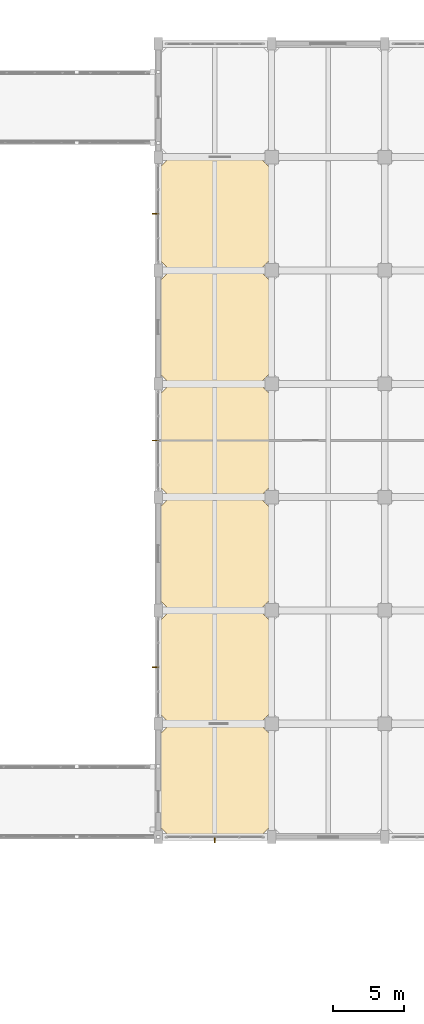
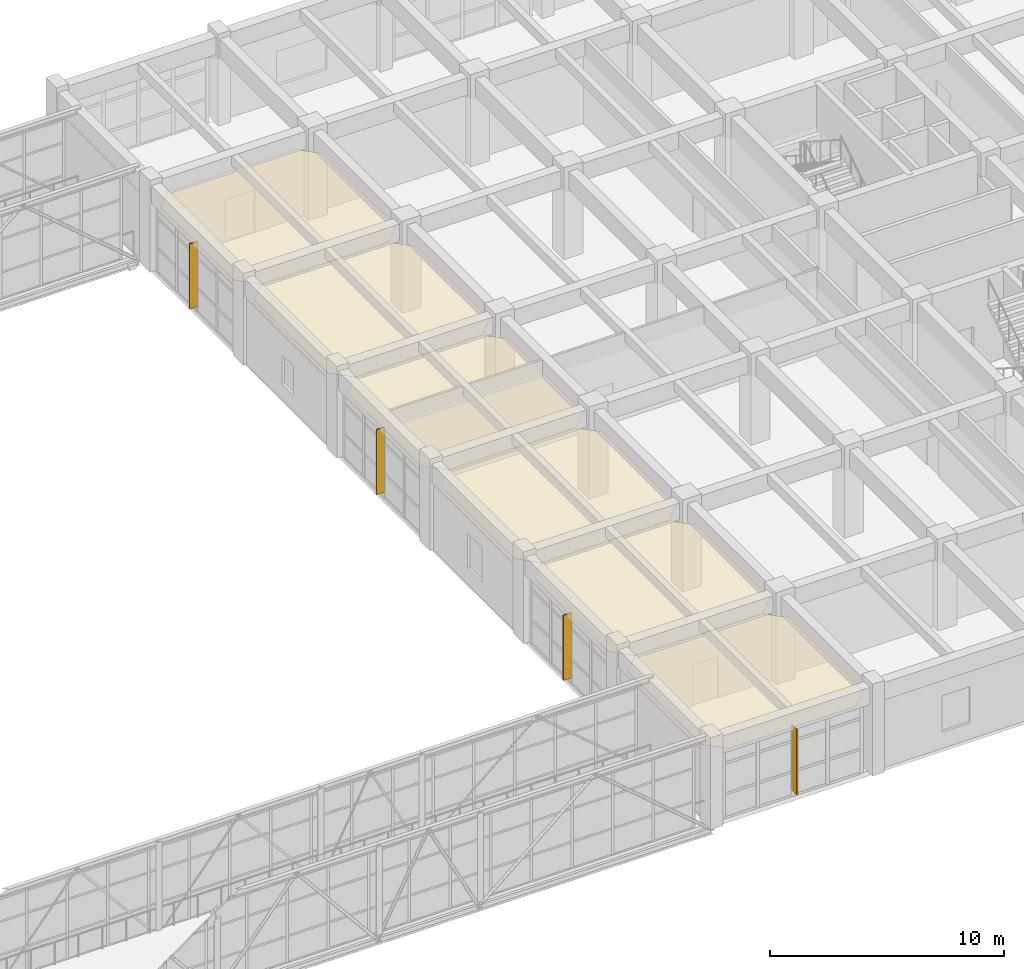
# One storey, part 242 of 248: 6 coverings, 4 shading devices.
"""IFC4 building model written with IfcOpenShell, lengths in metres."""

from ifc_helpers import new_model, si_unit, direction, frame, origin, origin_2d, place, context, subcontext, project, spatial, polyline, rectangle, outline, extrude, material, layer, layer_set, type_object, element, save


model = new_model("IFC4")

# Units and contexts
model_context = context("Model", 3, precision=1e-05, world=origin(), true_north=direction((0.0, 1.0)))
body_context = subcontext(model_context, "Body", "Model", "MODEL_VIEW")
ifc_project = project(units=[si_unit("LENGTHUNIT", "METRE"), si_unit("AREAUNIT", "SQUARE_METRE"), si_unit("VOLUMEUNIT", "CUBIC_METRE"), si_unit("PLANEANGLEUNIT", "RADIAN"), si_unit("MASSUNIT", "GRAM", prefix="KILO")], contexts=[model_context])

# Site, building, storey
site_placement = place(None, origin())
site = spatial("IfcSite", under=ifc_project, at=site_placement, CompositionType="ELEMENT")
building_placement = place(site_placement, origin())
building = spatial("IfcBuilding", under=site, at=building_placement, Name="Canggui Botanical Conservatory", CompositionType="ELEMENT")
storey_placement = place(building_placement, frame((0.0, 0.0, 5.39990234375)))
storey = spatial("IfcBuildingStorey", under=building, at=storey_placement, Name="L02", CompositionType="ELEMENT", Elevation=5.39990234375)

# Coverings
ifc_material_1 = material(Name="Mineral Fibre Acoustic Board")
ifc_layer_1 = layer(ifc_material_1, 0.014892578125, Name="Mineral Fibre Acoustic Board")
ifc_layer_set_1 = layer_set([ifc_layer_1], Name="Mineral Fibre Acoustic Board")
covering_type_1 = type_object("IfcCoveringType", Name="COV-CEIL-15", PredefinedType="CEILING", material=ifc_layer_set_1)
covering_1_placement = place(storey_placement, frame((0.0, 0.0, 3.55517578125)))
element("IfcCovering", 1, at=covering_1_placement, inside=storey, type_object=covering_type_1, Name="Suspended Acoustic Ceiling L02-130-34", PredefinedType="CEILING", context=body_context, shape_type="SweptSolid", body=[
    extrude(outline(polyline([(130.85009765625, 34.0), (137.14990234375, 34.0), (138.0, 34.85009765625), (138.0, 41.14990234375), (137.14990234375, 42.0), (130.85009765625, 42.0), (130.0, 41.14990234375), (130.0, 34.85009765625), (130.85009765625, 34.0)])), origin(), (0.0, 0.0, 1.0), 0.014892578125),
])
covering_2_placement = place(storey_placement, frame((0.0, 0.0, 3.55517578125)))
element("IfcCovering", 2, at=covering_2_placement, inside=storey, type_object=covering_type_1, Name="Suspended Acoustic Ceiling L02-130-50", PredefinedType="CEILING", context=body_context, shape_type="SweptSolid", body=[
    extrude(outline(polyline([(130.85009765625, 50.0), (137.14990234375, 50.0), (138.0, 50.85009765625), (138.0, 57.14990234375), (137.14990234375, 58.0), (130.85009765625, 58.0), (130.0, 57.14990234375), (130.0, 50.85009765625), (130.85009765625, 50.0)])), origin(), (0.0, 0.0, 1.0), 0.014892578125),
])
covering_3_placement = place(storey_placement, frame((0.0, 0.0, 3.55517578125)))
element("IfcCovering", 3, at=covering_3_placement, inside=storey, type_object=covering_type_1, Name="Suspended Acoustic Ceiling L02-130-66", PredefinedType="CEILING", context=body_context, shape_type="SweptSolid", body=[
    extrude(outline(polyline([(130.85009765625, 66.0), (137.14990234375, 66.0), (138.0, 66.85009765625), (138.0, 73.14990234375), (137.14990234375, 74.0), (130.85009765625, 74.0), (130.0, 73.14990234375), (130.0, 66.85009765625), (130.85009765625, 66.0)])), origin(), (0.0, 0.0, 1.0), 0.014892578125),
])
ifc_material_2 = material(Name="Perforated Gypsum Acoustic Panel")
ifc_layer_2 = layer(ifc_material_2, 0.02001953125, Name="Perforated Gypsum Acoustic Panel")
ifc_layer_set_2 = layer_set([ifc_layer_2], Name="Perforated Gypsum Acoustic Panel")
covering_type_2 = type_object("IfcCoveringType", Name="COV-CEIL-20", PredefinedType="CEILING", material=ifc_layer_set_2)
covering_4_placement = place(storey_placement, frame((0.0, 0.0, 3.550048828125)))
element("IfcCovering", 4, at=covering_4_placement, inside=storey, type_object=covering_type_2, Name="Suspended Acoustic Ceiling L02-130-26", PredefinedType="CEILING", context=body_context, shape_type="SweptSolid", body=[
    extrude(outline(polyline([(130.85009765625, 26.0), (137.14990234375, 26.0), (138.0, 26.85009765625), (138.0, 33.14990234375), (137.14990234375, 34.0), (130.85009765625, 34.0), (130.0, 33.14990234375), (130.0, 26.85009765625), (130.85009765625, 26.0)])), origin(), (0.0, 0.0, 1.0), 0.02001953125),
])
covering_5_placement = place(storey_placement, frame((0.0, 0.0, 3.550048828125)))
element("IfcCovering", 5, at=covering_5_placement, inside=storey, type_object=covering_type_2, Name="Suspended Acoustic Ceiling L02-130-42", PredefinedType="CEILING", context=body_context, shape_type="SweptSolid", body=[
    extrude(outline(polyline([(130.85009765625, 42.0), (137.14990234375, 42.0), (138.0, 42.85009765625), (138.0, 49.14990234375), (137.14990234375, 50.0), (130.85009765625, 50.0), (130.0, 49.14990234375), (130.0, 42.85009765625), (130.85009765625, 42.0)])), origin(), (0.0, 0.0, 1.0), 0.02001953125),
])
covering_6_placement = place(storey_placement, frame((0.0, 0.0, 3.550048828125)))
element("IfcCovering", 6, at=covering_6_placement, inside=storey, type_object=covering_type_2, Name="Suspended Acoustic Ceiling L02-130-58", PredefinedType="CEILING", context=body_context, shape_type="SweptSolid", body=[
    extrude(outline(polyline([(130.85009765625, 58.0), (137.14990234375, 58.0), (138.0, 58.85009765625), (138.0, 65.14990234375), (137.14990234375, 66.0), (130.85009765625, 66.0), (130.0, 65.14990234375), (130.0, 58.85009765625), (130.85009765625, 58.0)])), origin(), (0.0, 0.0, 1.0), 0.02001953125),
])

# Shading devices
ifc_material_3 = material(Name="Anodised Aluminium", Category="aluminium")
shading_device_type = type_object("IfcShadingDeviceType", Name="SHD-FIN01", PredefinedType="AWNING", material=ifc_material_3)
for number, where, z_axis, x_axis, name in (
    (7, (134.0, 25.804931640625, 0.300048828125), (0.0, 0.0, 1.0), (-1.0, 0.0, 0.0), "Solar Shading Fin CW-TWR-L02-06"),
    (8, (129.804931640625, 38.0, 0.300048828125), (0.0, 0.0, 1.0), (0.0, 1.0, 0.0), "Solar Shading Fin CW-TWR-L02-08"),
    (9, (129.804931640625, 54.0, 0.300048828125), (0.0, 0.0, 1.0), (0.0, 1.0, 0.0), "Solar Shading Fin CW-TWR-L02-10"),
    (10, (129.804931640625, 70.0, 0.300048828125), (0.0, 0.0, 1.0), (0.0, 1.0, 0.0), "Solar Shading Fin CW-TWR-L02-12"),
):
    element("IfcShadingDevice", number, at=place(storey_placement, frame(where, z_axis=z_axis, x_axis=x_axis)), inside=storey, type_object=shading_device_type, Name=name, PredefinedType="AWNING", context=body_context, shape_type="SweptSolid", body=[
        extrude(rectangle(XDim=0.06005859375, YDim=0.419921875, at=origin_2d()), origin(), (0.0, 0.0, 1.0), 3.39990234375),
    ])

save(model, "model.ifc")
